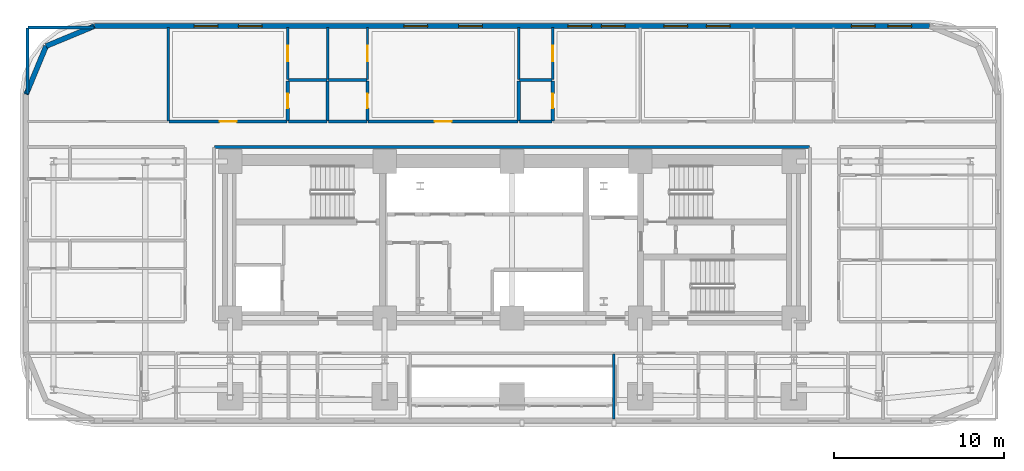
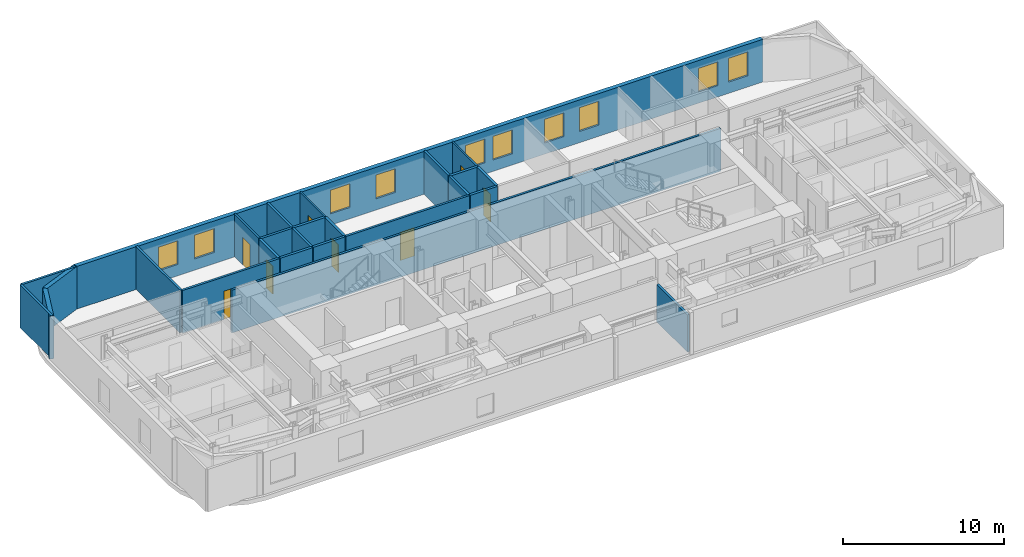
# One storey, part 9 of 16: 26 walls, 10 windows, 8 doors, 18 openings.
"""IFC4 building model written with IfcOpenShell, lengths in metres."""

from ifc_helpers import new_model, si_unit, direction, frame, frame_2d, origin, place, context, subcontext, project, spatial, rectangle, extrude, material, layer, layer_set, type_object, element, fill, save


model = new_model("IFC4")

# Units and contexts
model_context = context("Model", 3, precision=1e-05, world=origin(), true_north=direction((0.0, 1.0)))
body_context = subcontext(model_context, "Body", "Model", "MODEL_VIEW")
ifc_project = project(units=[si_unit("LENGTHUNIT", "METRE"), si_unit("AREAUNIT", "SQUARE_METRE"), si_unit("VOLUMEUNIT", "CUBIC_METRE"), si_unit("PLANEANGLEUNIT", "RADIAN"), si_unit("MASSUNIT", "GRAM", prefix="KILO")], contexts=[model_context])

# Site, building, storey
site_placement = place(None, origin())
site = spatial("IfcSite", under=ifc_project, at=site_placement, CompositionType="ELEMENT")
building_placement = place(site_placement, origin())
building = spatial("IfcBuilding", under=site, at=building_placement, Name="Zarnavel Station Tower", CompositionType="ELEMENT")
storey_placement = place(building_placement, frame((0.0, 0.0, 32.5)))
storey = spatial("IfcBuildingStorey", under=building, at=storey_placement, Name="L08", CompositionType="ELEMENT", Elevation=32.5)

# Wall, openings, windows
ifc_material_1 = material(Name="Precast concrete C45/55 (Dark Basalt Finish)", Category="masonry")
ifc_layer_1 = layer(ifc_material_1, 0.300048828125)
ifc_layer_set_1 = layer_set([ifc_layer_1], Name="EW_BASALT_300")
wall_type_1 = type_object("IfcWallType", Name="EW_BASALT_300", PredefinedType="SOLIDWALL", material=ifc_layer_set_1)
wall_1_placement = place(storey_placement, frame((4.199951171875, 45.02001953125, 0.0), z_axis=(0.0, 0.0, 1.0), x_axis=(1.0, 0.0, 0.0)))
wall_1 = element("IfcWall", 1, at=wall_1_placement, inside=storey, type_object=wall_type_1, Name="L08 Exterior Basalt Masonry Frame Wall 06", PredefinedType="SOLIDWALL", context=body_context, shape_type="SweptSolid", body=[
    extrude(rectangle(XDim=49.199951171875, YDim=0.300048828125, at=frame_2d((24.60009765625, 0.0))), origin(), (0.0, 0.0, 1.0), 3.239990234375),
])
opening_1_placement = place(wall_1_placement, frame((5.870361328125, 0.0, 0.85009765625)))
opening_1 = element("IfcOpeningElement", 2, at=opening_1_placement, cuts=wall_1, Name="Opening WN01", PredefinedType="OPENING", context=body_context, shape_type="SweptSolid", body=[
    extrude(rectangle(XDim=1.39990234375, YDim=1.800048828125, at=frame_2d((0.699951171875, 0.89990234375))), frame((0.0, 0.159912109375, 0.0), z_axis=(0.0, -1.0, 0.0), x_axis=(1.0, 0.0, 0.0)), (0.0, 0.0, 1.0), 0.320068359375),
])
opening_2_placement = place(wall_1_placement, frame((8.480712890625, 0.0, 0.85009765625)))
opening_2 = element("IfcOpeningElement", 3, at=opening_2_placement, cuts=wall_1, Name="Opening WN01", PredefinedType="OPENING", context=body_context, shape_type="SweptSolid", body=[
    extrude(rectangle(XDim=1.39990234375, YDim=1.800048828125, at=frame_2d((0.699951171875, 0.89990234375))), frame((0.0, 0.159912109375, 0.0), z_axis=(0.0, -1.0, 0.0), x_axis=(1.0, 0.0, 0.0)), (0.0, 0.0, 1.0), 0.320068359375),
])
opening_3_placement = place(wall_1_placement, frame((18.226806640625, 0.0, 0.85009765625)))
opening_3 = element("IfcOpeningElement", 4, at=opening_3_placement, cuts=wall_1, Name="Opening WN01", PredefinedType="OPENING", context=body_context, shape_type="SweptSolid", body=[
    extrude(rectangle(XDim=1.39990234375, YDim=1.800048828125, at=frame_2d((0.699951171875, 0.89990234375))), frame((0.0, 0.159912109375, 0.0), z_axis=(0.0, -1.0, 0.0), x_axis=(1.0, 0.0, 0.0)), (0.0, 0.0, 1.0), 0.320068359375),
])
opening_4_placement = place(wall_1_placement, frame((21.46240234375, 0.0, 0.85009765625)))
opening_4 = element("IfcOpeningElement", 5, at=opening_4_placement, cuts=wall_1, Name="Opening WN01", PredefinedType="OPENING", context=body_context, shape_type="SweptSolid", body=[
    extrude(rectangle(XDim=1.39990234375, YDim=1.800048828125, at=frame_2d((0.699951171875, 0.89990234375))), frame((0.0, 0.159912109375, 0.0), z_axis=(0.0, -1.0, 0.0), x_axis=(1.0, 0.0, 0.0)), (0.0, 0.0, 1.0), 0.320068359375),
])
opening_5_placement = place(wall_1_placement, frame((27.884033203125, 0.0, 0.85009765625)))
opening_5 = element("IfcOpeningElement", 6, at=opening_5_placement, cuts=wall_1, Name="Opening WN01", PredefinedType="OPENING", context=body_context, shape_type="SweptSolid", body=[
    extrude(rectangle(XDim=1.39990234375, YDim=1.800048828125, at=frame_2d((0.699951171875, 0.89990234375))), frame((0.0, 0.159912109375, 0.0), z_axis=(0.0, -1.0, 0.0), x_axis=(1.0, 0.0, 0.0)), (0.0, 0.0, 1.0), 0.320068359375),
])
opening_6_placement = place(wall_1_placement, frame((29.866943359375, 0.0, 0.85009765625)))
opening_6 = element("IfcOpeningElement", 7, at=opening_6_placement, cuts=wall_1, Name="Opening WN01", PredefinedType="OPENING", context=body_context, shape_type="SweptSolid", body=[
    extrude(rectangle(XDim=1.39990234375, YDim=1.800048828125, at=frame_2d((0.699951171875, 0.89990234375))), frame((0.0, 0.159912109375, 0.0), z_axis=(0.0, -1.0, 0.0), x_axis=(1.0, 0.0, 0.0)), (0.0, 0.0, 1.0), 0.320068359375),
])
opening_7_placement = place(wall_1_placement, frame((33.550048828125, 0.0, 0.85009765625)))
opening_7 = element("IfcOpeningElement", 8, at=opening_7_placement, cuts=wall_1, Name="Opening WN01", PredefinedType="OPENING", context=body_context, shape_type="SweptSolid", body=[
    extrude(rectangle(XDim=1.39990234375, YDim=1.800048828125, at=frame_2d((0.699951171875, 0.89990234375))), frame((0.0, 0.159912109375, 0.0), z_axis=(0.0, -1.0, 0.0), x_axis=(1.0, 0.0, 0.0)), (0.0, 0.0, 1.0), 0.320068359375),
])
opening_8_placement = place(wall_1_placement, frame((36.050048828125, 0.0, 0.85009765625)))
opening_8 = element("IfcOpeningElement", 9, at=opening_8_placement, cuts=wall_1, Name="Opening WN01", PredefinedType="OPENING", context=body_context, shape_type="SweptSolid", body=[
    extrude(rectangle(XDim=1.39990234375, YDim=1.800048828125, at=frame_2d((0.699951171875, 0.89990234375))), frame((0.0, 0.159912109375, 0.0), z_axis=(0.0, -1.0, 0.0), x_axis=(1.0, 0.0, 0.0)), (0.0, 0.0, 1.0), 0.320068359375),
])
opening_9_placement = place(wall_1_placement, frame((44.59326171875, 0.0, 0.85009765625)))
opening_9 = element("IfcOpeningElement", 10, at=opening_9_placement, cuts=wall_1, Name="Opening WN01", PredefinedType="OPENING", context=body_context, shape_type="SweptSolid", body=[
    extrude(rectangle(XDim=1.39990234375, YDim=1.800048828125, at=frame_2d((0.699951171875, 0.89990234375))), frame((0.0, 0.159912109375, 0.0), z_axis=(0.0, -1.0, 0.0), x_axis=(1.0, 0.0, 0.0)), (0.0, 0.0, 1.0), 0.320068359375),
])
opening_10_placement = place(wall_1_placement, frame((46.73681640625, 0.0, 0.85009765625)))
opening_10 = element("IfcOpeningElement", 11, at=opening_10_placement, cuts=wall_1, Name="Opening WN01", PredefinedType="OPENING", context=body_context, shape_type="SweptSolid", body=[
    extrude(rectangle(XDim=1.39990234375, YDim=1.800048828125, at=frame_2d((0.699951171875, 0.89990234375))), frame((0.0, 0.159912109375, 0.0), z_axis=(0.0, -1.0, 0.0), x_axis=(1.0, 0.0, 0.0)), (0.0, 0.0, 1.0), 0.320068359375),
])
ifc_material_2 = material(Name="Thermally Broken Black Aluminium and Low-E Dark Glass", Category="aluminium")
window_type = type_object("IfcWindowType", Name="WN_1400x1800", PartitioningType="DOUBLE_PANEL_VERTICAL", PredefinedType="WINDOW", material=ifc_material_2)
window_1_placement = place(opening_1_placement, origin())
window_1 = element("IfcWindow", 12, at=window_1_placement, inside=storey, type_object=window_type, Name="L08 Recessed Facade Window 01", OverallHeight=1.800048828125, OverallWidth=1.39990234375, PartitioningType="SINGLE_PANEL", PredefinedType="WINDOW", context=body_context, shape_type="SweptSolid", body=[
    extrude(rectangle(XDim=1.39990234375, YDim=1.800048828125, at=frame_2d((0.699951171875, 0.89990234375))), frame((0.0, 0.030029296875, 0.0), z_axis=(0.0, -1.0, 0.0), x_axis=(1.0, 0.0, 0.0)), (0.0, 0.0, 1.0), 0.06005859375),
])
fill(opening_1, window_1)
window_2_placement = place(opening_2_placement, origin())
window_2 = element("IfcWindow", 13, at=window_2_placement, inside=storey, type_object=window_type, Name="L08 Recessed Facade Window 02", OverallHeight=1.800048828125, OverallWidth=1.39990234375, PartitioningType="SINGLE_PANEL", PredefinedType="WINDOW", context=body_context, shape_type="SweptSolid", body=[
    extrude(rectangle(XDim=1.39990234375, YDim=1.800048828125, at=frame_2d((0.699951171875, 0.89990234375))), frame((0.0, 0.030029296875, 0.0), z_axis=(0.0, -1.0, 0.0), x_axis=(1.0, 0.0, 0.0)), (0.0, 0.0, 1.0), 0.06005859375),
])
fill(opening_2, window_2)
window_3_placement = place(opening_3_placement, origin())
window_3 = element("IfcWindow", 14, at=window_3_placement, inside=storey, type_object=window_type, Name="L08 Recessed Facade Window 03", OverallHeight=1.800048828125, OverallWidth=1.39990234375, PartitioningType="SINGLE_PANEL", PredefinedType="WINDOW", context=body_context, shape_type="SweptSolid", body=[
    extrude(rectangle(XDim=1.39990234375, YDim=1.800048828125, at=frame_2d((0.699951171875, 0.89990234375))), frame((0.0, 0.030029296875, 0.0), z_axis=(0.0, -1.0, 0.0), x_axis=(1.0, 0.0, 0.0)), (0.0, 0.0, 1.0), 0.06005859375),
])
fill(opening_3, window_3)
window_4_placement = place(opening_4_placement, origin())
window_4 = element("IfcWindow", 15, at=window_4_placement, inside=storey, type_object=window_type, Name="L08 Recessed Facade Window 04", OverallHeight=1.800048828125, OverallWidth=1.39990234375, PartitioningType="SINGLE_PANEL", PredefinedType="WINDOW", context=body_context, shape_type="SweptSolid", body=[
    extrude(rectangle(XDim=1.39990234375, YDim=1.800048828125, at=frame_2d((0.699951171875, 0.89990234375))), frame((0.0, 0.030029296875, 0.0), z_axis=(0.0, -1.0, 0.0), x_axis=(1.0, 0.0, 0.0)), (0.0, 0.0, 1.0), 0.06005859375),
])
fill(opening_4, window_4)
window_5_placement = place(opening_5_placement, origin())
window_5 = element("IfcWindow", 16, at=window_5_placement, inside=storey, type_object=window_type, Name="L08 Recessed Facade Window 05", OverallHeight=1.800048828125, OverallWidth=1.39990234375, PartitioningType="SINGLE_PANEL", PredefinedType="WINDOW", context=body_context, shape_type="SweptSolid", body=[
    extrude(rectangle(XDim=1.39990234375, YDim=1.800048828125, at=frame_2d((0.699951171875, 0.89990234375))), frame((0.0, 0.030029296875, 0.0), z_axis=(0.0, -1.0, 0.0), x_axis=(1.0, 0.0, 0.0)), (0.0, 0.0, 1.0), 0.06005859375),
])
fill(opening_5, window_5)
window_6_placement = place(opening_6_placement, origin())
window_6 = element("IfcWindow", 17, at=window_6_placement, inside=storey, type_object=window_type, Name="L08 Recessed Facade Window 06", OverallHeight=1.800048828125, OverallWidth=1.39990234375, PartitioningType="SINGLE_PANEL", PredefinedType="WINDOW", context=body_context, shape_type="SweptSolid", body=[
    extrude(rectangle(XDim=1.39990234375, YDim=1.800048828125, at=frame_2d((0.699951171875, 0.89990234375))), frame((0.0, 0.030029296875, 0.0), z_axis=(0.0, -1.0, 0.0), x_axis=(1.0, 0.0, 0.0)), (0.0, 0.0, 1.0), 0.06005859375),
])
fill(opening_6, window_6)
window_7_placement = place(opening_7_placement, origin())
window_7 = element("IfcWindow", 18, at=window_7_placement, inside=storey, type_object=window_type, Name="L08 Recessed Facade Window 07", OverallHeight=1.800048828125, OverallWidth=1.39990234375, PartitioningType="SINGLE_PANEL", PredefinedType="WINDOW", context=body_context, shape_type="SweptSolid", body=[
    extrude(rectangle(XDim=1.39990234375, YDim=1.800048828125, at=frame_2d((0.699951171875, 0.89990234375))), frame((0.0, 0.030029296875, 0.0), z_axis=(0.0, -1.0, 0.0), x_axis=(1.0, 0.0, 0.0)), (0.0, 0.0, 1.0), 0.06005859375),
])
fill(opening_7, window_7)
window_8_placement = place(opening_8_placement, origin())
window_8 = element("IfcWindow", 19, at=window_8_placement, inside=storey, type_object=window_type, Name="L08 Recessed Facade Window 08", OverallHeight=1.800048828125, OverallWidth=1.39990234375, PartitioningType="SINGLE_PANEL", PredefinedType="WINDOW", context=body_context, shape_type="SweptSolid", body=[
    extrude(rectangle(XDim=1.39990234375, YDim=1.800048828125, at=frame_2d((0.699951171875, 0.89990234375))), frame((0.0, 0.030029296875, 0.0), z_axis=(0.0, -1.0, 0.0), x_axis=(1.0, 0.0, 0.0)), (0.0, 0.0, 1.0), 0.06005859375),
])
fill(opening_8, window_8)
window_9_placement = place(opening_9_placement, origin())
window_9 = element("IfcWindow", 20, at=window_9_placement, inside=storey, type_object=window_type, Name="L08 Recessed Facade Window 09", OverallHeight=1.800048828125, OverallWidth=1.39990234375, PartitioningType="SINGLE_PANEL", PredefinedType="WINDOW", context=body_context, shape_type="SweptSolid", body=[
    extrude(rectangle(XDim=1.39990234375, YDim=1.800048828125, at=frame_2d((0.699951171875, 0.89990234375))), frame((0.0, 0.030029296875, 0.0), z_axis=(0.0, -1.0, 0.0), x_axis=(1.0, 0.0, 0.0)), (0.0, 0.0, 1.0), 0.06005859375),
])
fill(opening_9, window_9)
window_10_placement = place(opening_10_placement, origin())
window_10 = element("IfcWindow", 21, at=window_10_placement, inside=storey, type_object=window_type, Name="L08 Recessed Facade Window 10", OverallHeight=1.800048828125, OverallWidth=1.39990234375, PartitioningType="SINGLE_PANEL", PredefinedType="WINDOW", context=body_context, shape_type="SweptSolid", body=[
    extrude(rectangle(XDim=1.39990234375, YDim=1.800048828125, at=frame_2d((0.699951171875, 0.89990234375))), frame((0.0, 0.030029296875, 0.0), z_axis=(0.0, -1.0, 0.0), x_axis=(1.0, 0.0, 0.0)), (0.0, 0.0, 1.0), 0.06005859375),
])
fill(opening_10, window_10)

# Walls
for number, where, z_axis, x_axis, name in (
    (22, (1.357421875, 43.842529296875, 0.0), (0.0, 0.0, 1.0), (0.923870793506, 0.382704529509, 0.0), "L08 Exterior Basalt Masonry Frame Wall 07"),
    (23, (0.179931640625, 41.0, 0.0), (0.0, 0.0, 1.0), (0.382704529509, 0.923870793506, 0.0), "L08 Exterior Basalt Masonry Frame Wall 08"),
):
    element("IfcWall", number, at=place(storey_placement, frame(where, z_axis=z_axis, x_axis=x_axis)), inside=storey, type_object=wall_type_1, Name=name, PredefinedType="SOLIDWALL", context=body_context, shape_type="SweptSolid", body=[
        extrude(rectangle(XDim=3.07666015625, YDim=0.300048828125, at=frame_2d((1.538330078125, 0.0))), origin(), (0.0, 0.0, 1.0), 3.239990234375),
    ])

# Wall, opening, door
ifc_material_3 = material(Name="Gypsum Twin-Stud Acoustic Fire Partition", Category="concrete")
ifc_layer_2 = layer(ifc_material_3, 0.159912109375)
ifc_layer_set_2 = layer_set([ifc_layer_2], Name="PT_DEMISE_160")
wall_type_2 = type_object("IfcWallType", Name="PT_DEMISE_160", PredefinedType="PARTITIONING", material=ifc_layer_set_2)
wall_2_placement = place(storey_placement, frame((8.60009765625, 39.39990234375, 0.0), z_axis=(0.0, 0.0, 1.0), x_axis=(1.0, 0.0, 0.0)))
wall_2 = element("IfcWall", 24, at=wall_2_placement, inside=storey, type_object=wall_type_2, Name="L08 Partition COR-N-HN1R", PredefinedType="PARTITIONING", context=body_context, shape_type="SweptSolid", body=[
    extrude(rectangle(XDim=6.950927734375, YDim=0.159912109375, at=frame_2d((3.4755859375, 0.0))), origin(), (0.0, 0.0, 1.0), 3.239990234375),
])
opening_11_placement = place(wall_2_placement, frame((2.9755859375, 0.0, 0.0)))
opening_11 = element("IfcOpeningElement", 25, at=opening_11_placement, cuts=wall_2, Name="Opening FD02", PredefinedType="OPENING", context=body_context, shape_type="SweptSolid", body=[
    extrude(rectangle(XDim=1.0, YDim=2.14990234375, at=frame_2d((0.5, 1.074951171875))), frame((0.0, 0.08984375, 0.0), z_axis=(0.0, -1.0, 0.0), x_axis=(1.0, 0.0, 0.0)), (0.0, 0.0, 1.0), 0.179931640625),
])
ifc_material_4 = material(Name="Painted Galvanised Steel and Hardwood Leaf", Category="steel")
door_type_1 = type_object("IfcDoorType", Name="ID_ENTRY_1000", OperationType="NOTDEFINED", PredefinedType="DOOR", material=ifc_material_4)
door_1_placement = place(opening_11_placement, origin())
door_1 = element("IfcDoor", 26, at=door_1_placement, inside=storey, type_object=door_type_1, Name="L08 Door COR-N-HN1R", OperationType="SINGLE_SWING_RIGHT", OverallHeight=2.14990234375, OverallWidth=1.0, PredefinedType="DOOR", context=body_context, shape_type="SweptSolid", body=[
    extrude(rectangle(XDim=1.0, YDim=2.14990234375, at=frame_2d((0.5, 1.074951171875))), frame((0.0, 0.02490234375, 0.0), z_axis=(0.0, -1.0, 0.0), x_axis=(1.0, 0.0, 0.0)), (0.0, 0.0, 1.0), 0.050048828125),
])
fill(opening_11, door_1)

wall_3_placement = place(storey_placement, frame((20.3310546875, 39.39990234375, 0.0), z_axis=(0.0, 0.0, 1.0), x_axis=(1.0, 0.0, 0.0)))
wall_3 = element("IfcWall", 27, at=wall_3_placement, inside=storey, type_object=wall_type_2, Name="L08 Partition COR-N-HN2R", PredefinedType="PARTITIONING", context=body_context, shape_type="SweptSolid", body=[
    extrude(rectangle(XDim=8.826904296875, YDim=0.159912109375, at=frame_2d((4.41357421875, 0.0))), origin(), (0.0, 0.0, 1.0), 3.239990234375),
])
opening_12_placement = place(wall_3_placement, frame((3.91357421875, 0.0, 0.0)))
opening_12 = element("IfcOpeningElement", 28, at=opening_12_placement, cuts=wall_3, Name="Opening FD02", PredefinedType="OPENING", context=body_context, shape_type="SweptSolid", body=[
    extrude(rectangle(XDim=1.0, YDim=2.14990234375, at=frame_2d((0.5, 1.074951171875))), frame((0.0, 0.08984375, 0.0), z_axis=(0.0, -1.0, 0.0), x_axis=(1.0, 0.0, 0.0)), (0.0, 0.0, 1.0), 0.179931640625),
])
door_2_placement = place(opening_12_placement, origin())
door_2 = element("IfcDoor", 29, at=door_2_placement, inside=storey, type_object=door_type_1, Name="L08 Door COR-N-HN2R", OperationType="SINGLE_SWING_LEFT", OverallHeight=2.14990234375, OverallWidth=1.0, PredefinedType="DOOR", context=body_context, shape_type="SweptSolid", body=[
    extrude(rectangle(XDim=1.0, YDim=2.14990234375, at=frame_2d((0.5, 1.074951171875))), frame((0.0, 0.02490234375, 0.0), z_axis=(0.0, -1.0, 0.0), x_axis=(1.0, 0.0, 0.0)), (0.0, 0.0, 1.0), 0.050048828125),
])
fill(opening_12, door_2)

# Walls
wall_4_placement = place(storey_placement, frame((8.56005859375, 39.43994140625, 0.0), z_axis=(0.0, 0.0, 1.0), x_axis=(0.0, 1.0, 0.0)))
element("IfcWall", 30, at=wall_4_placement, inside=storey, type_object=wall_type_2, Name="L08 Partition HSKP-HN1R", PredefinedType="PARTITIONING", context=body_context, shape_type="SweptSolid", body=[
    extrude(rectangle(XDim=5.5, YDim=0.159912109375, at=frame_2d((2.75, 0.0))), origin(), (0.0, 0.0, 1.0), 3.239990234375),
])
for number, where, z_axis, x_axis, name in (
    (31, (17.94091796875, 41.8779296875, 0.0), (0.0, 0.0, 1.0), (0.0, 1.0, 0.0), "L08 Partition HN1S-HN2S"),
    (32, (29.197998046875, 41.8779296875, 0.0), (0.0, 0.0, 1.0), (0.0, 1.0, 0.0), "L08 Partition HN2R-HN3S"),
):
    element("IfcWall", number, at=place(storey_placement, frame(where, z_axis=z_axis, x_axis=x_axis)), inside=storey, type_object=wall_type_2, Name=name, PredefinedType="PARTITIONING", context=body_context, shape_type="SweptSolid", body=[
        extrude(rectangle(XDim=3.06201171875, YDim=0.159912109375, at=frame_2d((1.531005859375, 0.0))), origin(), (0.0, 0.0, 1.0), 3.239990234375),
    ])
wall_5_placement = place(storey_placement, frame((11.280029296875, 37.89990234375, 0.0), z_axis=(0.0, 0.0, 1.0), x_axis=(1.0, 0.0, 0.0)))
element("IfcWall", 33, at=wall_5_placement, inside=storey, type_object=wall_type_2, Name="L08 Enclosure Wall COR-N", PredefinedType="PARTITIONING", context=body_context, shape_type="SweptSolid", body=[
    extrude(rectangle(XDim=35.0400390625, YDim=0.159912109375, at=frame_2d((17.52001953125, 0.0))), origin(), (0.0, 0.0, 1.0), 3.239990234375),
])
for number, where, z_axis, x_axis, name in (
    (34, (0.2900390625, 44.93994140625, 0.0), (0.0, 0.0, 1.0), (1.0, 0.0, 0.0), "L08 Enclosure Wall HSKP"),
    (35, (0.260009765625, 41.030029296875, 0.0), (0.0, 0.0, 1.0), (0.0, 1.0, 0.0), "L08 Enclosure Wall HSKP"),
):
    element("IfcWall", number, at=place(storey_placement, frame(where, z_axis=z_axis, x_axis=x_axis)), inside=storey, type_object=wall_type_2, Name=name, PredefinedType="PARTITIONING", context=body_context, shape_type="SweptSolid", body=[
        extrude(rectangle(XDim=3.8798828125, YDim=0.159912109375, at=frame_2d((1.93994140625, 0.0))), origin(), (0.0, 0.0, 1.0), 3.239990234375),
    ])
wall_6_placement = place(storey_placement, frame((34.800048828125, 21.889892578125, 0.0), z_axis=(0.0, 0.0, 1.0), x_axis=(0.0, 1.0, 0.0)))
element("IfcWall", 36, at=wall_6_placement, inside=storey, type_object=wall_type_2, Name="L08 Enclosure Wall HE1R", PredefinedType="PARTITIONING", context=body_context, shape_type="SweptSolid", body=[
    extrude(rectangle(XDim=3.830078125, YDim=0.159912109375, at=frame_2d((1.9150390625, 0.0))), origin(), (0.0, 0.0, 1.0), 2.820068359375),
])

# Wall, opening, door
ifc_material_5 = material(Name="Gypsum Metal-Stud Interior Partition", Category="concrete")
ifc_layer_3 = layer(ifc_material_5, 0.1201171875)
ifc_layer_set_3 = layer_set([ifc_layer_3], Name="PT_ROOM_120")
wall_type_3 = type_object("IfcWallType", Name="PT_ROOM_120", PredefinedType="PARTITIONING", material=ifc_layer_set_3)
wall_7_placement = place(storey_placement, frame((15.591064453125, 41.8779296875, 0.0), z_axis=(0.0, 0.0, 1.0), x_axis=(0.0, 1.0, 0.0)))
wall_7 = element("IfcWall", 37, at=wall_7_placement, inside=storey, type_object=wall_type_3, Name="L08 Partition HN1R-HN1S", PredefinedType="PARTITIONING", context=body_context, shape_type="SweptSolid", body=[
    extrude(rectangle(XDim=3.06201171875, YDim=0.1201171875, at=frame_2d((1.531005859375, 0.0))), origin(), (0.0, 0.0, 1.0), 3.239990234375),
])
opening_13_placement = place(wall_7_placement, frame((1.0810546875, 0.0, 0.0)))
opening_13 = element("IfcOpeningElement", 38, at=opening_13_placement, cuts=wall_7, Name="Opening ID01", PredefinedType="OPENING", context=body_context, shape_type="SweptSolid", body=[
    extrude(rectangle(XDim=0.89990234375, YDim=2.10009765625, at=frame_2d((0.449951171875, 1.050048828125))), frame((0.0, 0.070068359375, 0.0), z_axis=(0.0, -1.0, 0.0), x_axis=(1.0, 0.0, 0.0)), (0.0, 0.0, 1.0), 0.14013671875),
])
ifc_material_6 = material(Name="Painted Galvanised Steel and Hardwood Leaf", Category="steel")
door_type_2 = type_object("IfcDoorType", Name="ID_ROOM_900", OperationType="NOTDEFINED", PredefinedType="DOOR", material=ifc_material_6)
door_3_placement = place(opening_13_placement, origin())
door_3 = element("IfcDoor", 39, at=door_3_placement, inside=storey, type_object=door_type_2, Name="L08 Door HN1R-HN1S", OperationType="SINGLE_SWING_RIGHT", OverallHeight=2.10009765625, OverallWidth=0.89990234375, PredefinedType="DOOR", context=body_context, shape_type="SweptSolid", body=[
    extrude(rectangle(XDim=0.89990234375, YDim=2.10009765625, at=frame_2d((0.449951171875, 1.050048828125))), frame((0.0, 0.02490234375, 0.0), z_axis=(0.0, -1.0, 0.0), x_axis=(1.0, 0.0, 0.0)), (0.0, 0.0, 1.0), 0.050048828125),
])
fill(opening_13, door_3)

wall_8_placement = place(storey_placement, frame((20.291015625, 41.8779296875, 0.0), z_axis=(0.0, 0.0, 1.0), x_axis=(0.0, 1.0, 0.0)))
wall_8 = element("IfcWall", 40, at=wall_8_placement, inside=storey, type_object=wall_type_3, Name="L08 Partition HN2R-HN2S", PredefinedType="PARTITIONING", context=body_context, shape_type="SweptSolid", body=[
    extrude(rectangle(XDim=3.06201171875, YDim=0.1201171875, at=frame_2d((1.531005859375, 0.0))), origin(), (0.0, 0.0, 1.0), 3.239990234375),
])
opening_14_placement = place(wall_8_placement, frame((1.0810546875, 0.0, 0.0)))
opening_14 = element("IfcOpeningElement", 41, at=opening_14_placement, cuts=wall_8, Name="Opening ID01", PredefinedType="OPENING", context=body_context, shape_type="SweptSolid", body=[
    extrude(rectangle(XDim=0.89990234375, YDim=2.10009765625, at=frame_2d((0.449951171875, 1.050048828125))), frame((0.0, 0.070068359375, 0.0), z_axis=(0.0, -1.0, 0.0), x_axis=(1.0, 0.0, 0.0)), (0.0, 0.0, 1.0), 0.14013671875),
])
door_4_placement = place(opening_14_placement, origin())
door_4 = element("IfcDoor", 42, at=door_4_placement, inside=storey, type_object=door_type_2, Name="L08 Door HN2R-HN2S", OperationType="SINGLE_SWING_RIGHT", OverallHeight=2.10009765625, OverallWidth=0.89990234375, PredefinedType="DOOR", context=body_context, shape_type="SweptSolid", body=[
    extrude(rectangle(XDim=0.89990234375, YDim=2.10009765625, at=frame_2d((0.449951171875, 1.050048828125))), frame((0.0, 0.02490234375, 0.0), z_axis=(0.0, -1.0, 0.0), x_axis=(1.0, 0.0, 0.0)), (0.0, 0.0, 1.0), 0.050048828125),
])
fill(opening_14, door_4)

wall_9_placement = place(storey_placement, frame((31.200927734375, 41.8779296875, 0.0), z_axis=(0.0, 0.0, 1.0), x_axis=(0.0, 1.0, 0.0)))
wall_9 = element("IfcWall", 43, at=wall_9_placement, inside=storey, type_object=wall_type_3, Name="L08 Partition HN3R-HN3S", PredefinedType="PARTITIONING", context=body_context, shape_type="SweptSolid", body=[
    extrude(rectangle(XDim=3.06201171875, YDim=0.1201171875, at=frame_2d((1.531005859375, 0.0))), origin(), (0.0, 0.0, 1.0), 3.239990234375),
])
opening_15_placement = place(wall_9_placement, frame((1.0810546875, 0.0, 0.0)))
opening_15 = element("IfcOpeningElement", 44, at=opening_15_placement, cuts=wall_9, Name="Opening ID01", PredefinedType="OPENING", context=body_context, shape_type="SweptSolid", body=[
    extrude(rectangle(XDim=0.89990234375, YDim=2.10009765625, at=frame_2d((0.449951171875, 1.050048828125))), frame((0.0, 0.070068359375, 0.0), z_axis=(0.0, -1.0, 0.0), x_axis=(1.0, 0.0, 0.0)), (0.0, 0.0, 1.0), 0.14013671875),
])
door_5_placement = place(opening_15_placement, origin())
door_5 = element("IfcDoor", 45, at=door_5_placement, inside=storey, type_object=door_type_2, Name="L08 Door HN3R-HN3S", OperationType="SINGLE_SWING_RIGHT", OverallHeight=2.10009765625, OverallWidth=0.89990234375, PredefinedType="DOOR", context=body_context, shape_type="SweptSolid", body=[
    extrude(rectangle(XDim=0.89990234375, YDim=2.10009765625, at=frame_2d((0.449951171875, 1.050048828125))), frame((0.0, 0.02490234375, 0.0), z_axis=(0.0, -1.0, 0.0), x_axis=(1.0, 0.0, 0.0)), (0.0, 0.0, 1.0), 0.050048828125),
])
fill(opening_15, door_5)

# Walls
ifc_material_7 = material(Name="Moisture-Resistant Plumbing Chase Wall", Category="concrete")
ifc_layer_4 = layer(ifc_material_7, 0.179931640625)
ifc_layer_set_4 = layer_set([ifc_layer_4], Name="PW_PLUMB_180")
wall_type_4 = type_object("IfcWallType", Name="PW_PLUMB_180", PredefinedType="PLUMBINGWALL", material=ifc_layer_set_4)
wall_10_placement = place(storey_placement, frame((15.631103515625, 39.39990234375, 0.0), z_axis=(0.0, 0.0, 1.0), x_axis=(1.0, 0.0, 0.0)))
element("IfcWall", 46, at=wall_10_placement, inside=storey, type_object=wall_type_4, Name="L08 Partition COR-N-HN1B", PredefinedType="PLUMBINGWALL", context=body_context, shape_type="SweptSolid", body=[
    extrude(rectangle(XDim=2.269775390625, YDim=0.179931640625, at=frame_2d((1.134765625, 0.0))), origin(), (0.0, 0.0, 1.0), 3.239990234375),
])
wall_11_placement = place(storey_placement, frame((17.98095703125, 39.39990234375, 0.0), z_axis=(0.0, 0.0, 1.0), x_axis=(1.0, 0.0, 0.0)))
element("IfcWall", 47, at=wall_11_placement, inside=storey, type_object=wall_type_4, Name="L08 Partition COR-N-HN2B", PredefinedType="PLUMBINGWALL", context=body_context, shape_type="SweptSolid", body=[
    extrude(rectangle(XDim=2.27001953125, YDim=0.179931640625, at=frame_2d((1.135009765625, 0.0))), origin(), (0.0, 0.0, 1.0), 3.239990234375),
])
wall_12_placement = place(storey_placement, frame((29.238037109375, 39.39990234375, 0.0), z_axis=(0.0, 0.0, 1.0), x_axis=(1.0, 0.0, 0.0)))
element("IfcWall", 48, at=wall_12_placement, inside=storey, type_object=wall_type_4, Name="L08 Partition COR-N-HN3B", PredefinedType="PLUMBINGWALL", context=body_context, shape_type="SweptSolid", body=[
    extrude(rectangle(XDim=1.9228515625, YDim=0.179931640625, at=frame_2d((0.96142578125, 0.0))), origin(), (0.0, 0.0, 1.0), 3.239990234375),
])

# Wall, opening, door
wall_13_placement = place(storey_placement, frame((15.591064453125, 39.43994140625, 0.0), z_axis=(0.0, 0.0, 1.0), x_axis=(0.0, 1.0, 0.0)))
wall_13 = element("IfcWall", 49, at=wall_13_placement, inside=storey, type_object=wall_type_4, Name="L08 Partition HN1R-HN1B", PredefinedType="PLUMBINGWALL", context=body_context, shape_type="SweptSolid", body=[
    extrude(rectangle(XDim=2.358154296875, YDim=0.179931640625, at=frame_2d((1.17919921875, 0.0))), origin(), (0.0, 0.0, 1.0), 3.239990234375),
])
opening_16_placement = place(wall_13_placement, frame((0.75390625, 0.0, 0.0)))
opening_16 = element("IfcOpeningElement", 50, at=opening_16_placement, cuts=wall_13, Name="Opening ID02", PredefinedType="OPENING", context=body_context, shape_type="SweptSolid", body=[
    extrude(rectangle(XDim=0.85009765625, YDim=2.10009765625, at=frame_2d((0.425048828125, 1.050048828125))), frame((0.0, 0.099853515625, 0.0), z_axis=(0.0, -1.0, 0.0), x_axis=(1.0, 0.0, 0.0)), (0.0, 0.0, 1.0), 0.199951171875),
])
ifc_material_8 = material(Name="Painted Galvanised Steel and Hardwood Leaf", Category="steel")
door_type_3 = type_object("IfcDoorType", Name="ID_BATH_850", OperationType="NOTDEFINED", PredefinedType="DOOR", material=ifc_material_8)
door_6_placement = place(opening_16_placement, origin())
door_6 = element("IfcDoor", 51, at=door_6_placement, inside=storey, type_object=door_type_3, Name="L08 Door HN1R-HN1B", OperationType="SINGLE_SWING_LEFT", OverallHeight=2.10009765625, OverallWidth=0.85009765625, PredefinedType="DOOR", context=body_context, shape_type="SweptSolid", body=[
    extrude(rectangle(XDim=0.85009765625, YDim=2.10009765625, at=frame_2d((0.425048828125, 1.050048828125))), frame((0.0, 0.02490234375, 0.0), z_axis=(0.0, -1.0, 0.0), x_axis=(1.0, 0.0, 0.0)), (0.0, 0.0, 1.0), 0.050048828125),
])
fill(opening_16, door_6)

# Walls
wall_14_placement = place(storey_placement, frame((15.631103515625, 41.837890625, 0.0), z_axis=(0.0, 0.0, 1.0), x_axis=(1.0, 0.0, 0.0)))
element("IfcWall", 52, at=wall_14_placement, inside=storey, type_object=wall_type_4, Name="L08 Partition HN1B-HN1S", PredefinedType="PLUMBINGWALL", context=body_context, shape_type="SweptSolid", body=[
    extrude(rectangle(XDim=2.269775390625, YDim=0.179931640625, at=frame_2d((1.134765625, 0.0))), origin(), (0.0, 0.0, 1.0), 3.239990234375),
])
wall_15_placement = place(storey_placement, frame((17.94091796875, 39.43994140625, 0.0), z_axis=(0.0, 0.0, 1.0), x_axis=(0.0, 1.0, 0.0)))
element("IfcWall", 53, at=wall_15_placement, inside=storey, type_object=wall_type_4, Name="L08 Partition HN1B-HN2B", PredefinedType="PLUMBINGWALL", context=body_context, shape_type="SweptSolid", body=[
    extrude(rectangle(XDim=2.358154296875, YDim=0.179931640625, at=frame_2d((1.17919921875, 0.0))), origin(), (0.0, 0.0, 1.0), 3.239990234375),
])

# Wall, opening, door
wall_16_placement = place(storey_placement, frame((20.291015625, 39.43994140625, 0.0), z_axis=(0.0, 0.0, 1.0), x_axis=(0.0, 1.0, 0.0)))
wall_16 = element("IfcWall", 54, at=wall_16_placement, inside=storey, type_object=wall_type_4, Name="L08 Partition HN2R-HN2B", PredefinedType="PLUMBINGWALL", context=body_context, shape_type="SweptSolid", body=[
    extrude(rectangle(XDim=2.358154296875, YDim=0.179931640625, at=frame_2d((1.17919921875, 0.0))), origin(), (0.0, 0.0, 1.0), 3.239990234375),
])
opening_17_placement = place(wall_16_placement, frame((0.75390625, 0.0, 0.0)))
opening_17 = element("IfcOpeningElement", 55, at=opening_17_placement, cuts=wall_16, Name="Opening ID02", PredefinedType="OPENING", context=body_context, shape_type="SweptSolid", body=[
    extrude(rectangle(XDim=0.85009765625, YDim=2.10009765625, at=frame_2d((0.425048828125, 1.050048828125))), frame((0.0, 0.099853515625, 0.0), z_axis=(0.0, -1.0, 0.0), x_axis=(1.0, 0.0, 0.0)), (0.0, 0.0, 1.0), 0.199951171875),
])
door_7_placement = place(opening_17_placement, origin())
door_7 = element("IfcDoor", 56, at=door_7_placement, inside=storey, type_object=door_type_3, Name="L08 Door HN2R-HN2B", OperationType="SINGLE_SWING_LEFT", OverallHeight=2.10009765625, OverallWidth=0.85009765625, PredefinedType="DOOR", context=body_context, shape_type="SweptSolid", body=[
    extrude(rectangle(XDim=0.85009765625, YDim=2.10009765625, at=frame_2d((0.425048828125, 1.050048828125))), frame((0.0, 0.02490234375, 0.0), z_axis=(0.0, -1.0, 0.0), x_axis=(1.0, 0.0, 0.0)), (0.0, 0.0, 1.0), 0.050048828125),
])
fill(opening_17, door_7)

# Walls
wall_17_placement = place(storey_placement, frame((29.197998046875, 39.43994140625, 0.0), z_axis=(0.0, 0.0, 1.0), x_axis=(0.0, 1.0, 0.0)))
element("IfcWall", 57, at=wall_17_placement, inside=storey, type_object=wall_type_4, Name="L08 Partition HN2R-HN3B", PredefinedType="PLUMBINGWALL", context=body_context, shape_type="SweptSolid", body=[
    extrude(rectangle(XDim=2.358154296875, YDim=0.179931640625, at=frame_2d((1.17919921875, 0.0))), origin(), (0.0, 0.0, 1.0), 3.239990234375),
])
wall_18_placement = place(storey_placement, frame((17.98095703125, 41.837890625, 0.0), z_axis=(0.0, 0.0, 1.0), x_axis=(1.0, 0.0, 0.0)))
element("IfcWall", 58, at=wall_18_placement, inside=storey, type_object=wall_type_4, Name="L08 Partition HN2B-HN2S", PredefinedType="PLUMBINGWALL", context=body_context, shape_type="SweptSolid", body=[
    extrude(rectangle(XDim=2.27001953125, YDim=0.179931640625, at=frame_2d((1.135009765625, 0.0))), origin(), (0.0, 0.0, 1.0), 3.239990234375),
])

# Wall, opening, door
wall_19_placement = place(storey_placement, frame((31.200927734375, 39.43994140625, 0.0), z_axis=(0.0, 0.0, 1.0), x_axis=(0.0, 1.0, 0.0)))
wall_19 = element("IfcWall", 59, at=wall_19_placement, inside=storey, type_object=wall_type_4, Name="L08 Partition HN3R-HN3B", PredefinedType="PLUMBINGWALL", context=body_context, shape_type="SweptSolid", body=[
    extrude(rectangle(XDim=2.358154296875, YDim=0.179931640625, at=frame_2d((1.17919921875, 0.0))), origin(), (0.0, 0.0, 1.0), 3.239990234375),
])
opening_18_placement = place(wall_19_placement, frame((0.75390625, 0.0, 0.0)))
opening_18 = element("IfcOpeningElement", 60, at=opening_18_placement, cuts=wall_19, Name="Opening ID02", PredefinedType="OPENING", context=body_context, shape_type="SweptSolid", body=[
    extrude(rectangle(XDim=0.85009765625, YDim=2.10009765625, at=frame_2d((0.425048828125, 1.050048828125))), frame((0.0, 0.099853515625, 0.0), z_axis=(0.0, -1.0, 0.0), x_axis=(1.0, 0.0, 0.0)), (0.0, 0.0, 1.0), 0.199951171875),
])
door_8_placement = place(opening_18_placement, origin())
door_8 = element("IfcDoor", 61, at=door_8_placement, inside=storey, type_object=door_type_3, Name="L08 Door HN3R-HN3B", OperationType="SINGLE_SWING_LEFT", OverallHeight=2.10009765625, OverallWidth=0.85009765625, PredefinedType="DOOR", context=body_context, shape_type="SweptSolid", body=[
    extrude(rectangle(XDim=0.85009765625, YDim=2.10009765625, at=frame_2d((0.425048828125, 1.050048828125))), frame((0.0, 0.02490234375, 0.0), z_axis=(0.0, -1.0, 0.0), x_axis=(1.0, 0.0, 0.0)), (0.0, 0.0, 1.0), 0.050048828125),
])
fill(opening_18, door_8)

# Wall
wall_20_placement = place(storey_placement, frame((29.238037109375, 41.837890625, 0.0), z_axis=(0.0, 0.0, 1.0), x_axis=(1.0, 0.0, 0.0)))
element("IfcWall", 62, at=wall_20_placement, inside=storey, type_object=wall_type_4, Name="L08 Partition HN3B-HN3S", PredefinedType="PLUMBINGWALL", context=body_context, shape_type="SweptSolid", body=[
    extrude(rectangle(XDim=1.9228515625, YDim=0.179931640625, at=frame_2d((0.96142578125, 0.0))), origin(), (0.0, 0.0, 1.0), 3.239990234375),
])

save(model, "model.ifc")
